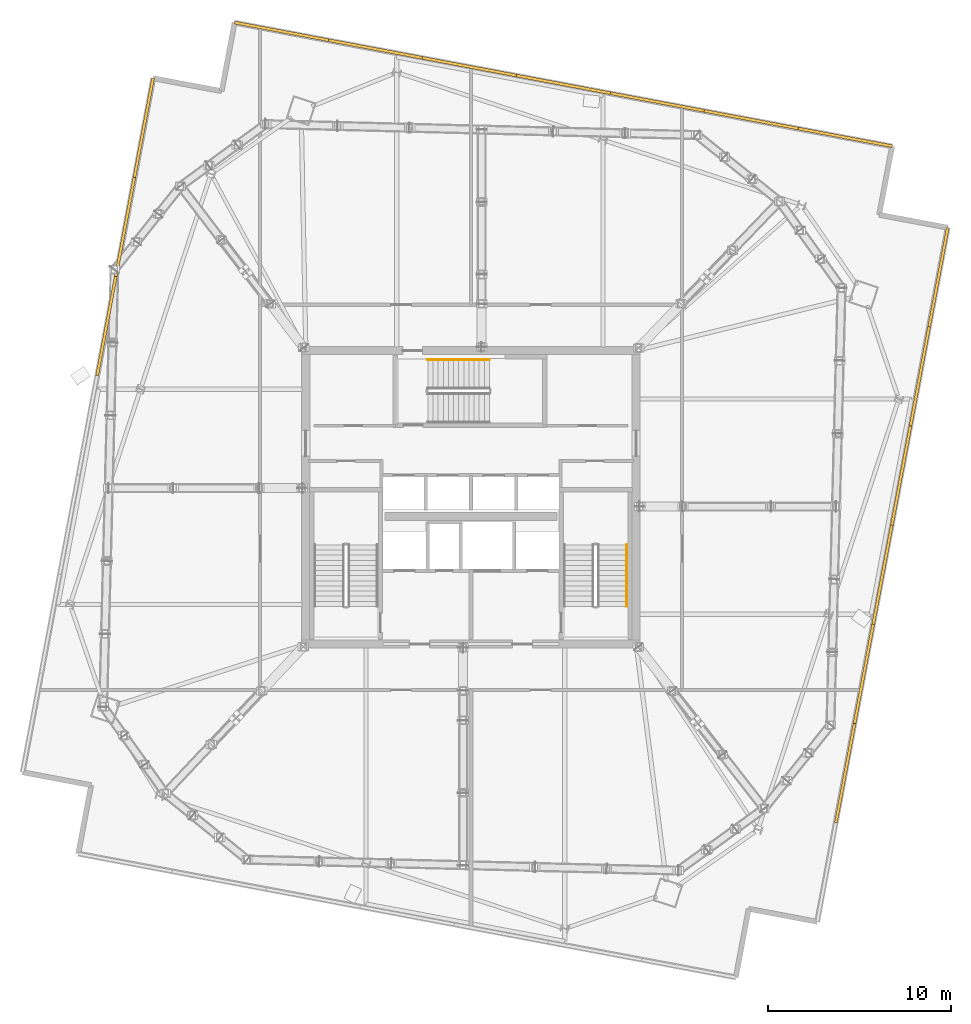
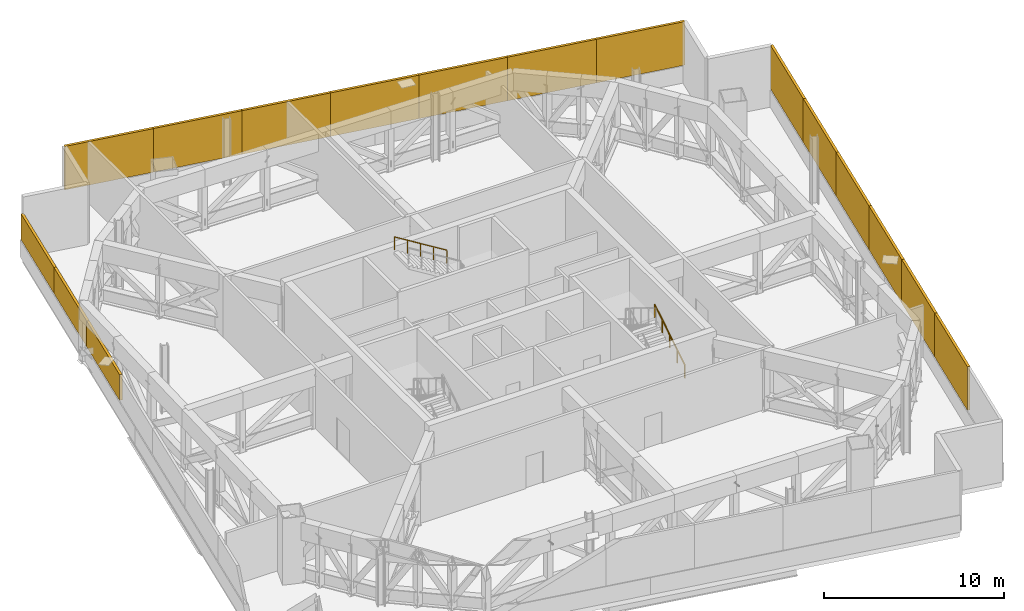
# One storey, part 15 of 15: 16 shading devices, 2 railings.
"""IFC4 building model written with IfcOpenShell, lengths in metres."""

import ifcopenshell
import ifcopenshell.guid

model = None  # the IFC model being written
_history = None  # IfcOwnerHistory: only IFC2X3 demands one
_inside = {}  # id of a spatial element -> (the spatial element, [elements in it])
_under = {}  # id of a project, library or spatial element -> (it, [spatial elements below it])
_declared = {}  # id of a project -> (the project, [libraries it declares])
_typed = {}  # id of a type object -> (the type object, [elements of that type])
_made_of = {}  # id of a material, layer set ... -> (it, [elements and type objects made of it])


def new_model(schema):
    """Start an empty IFC model of exactly this schema.

    Asked for "IFC4X3", IfcOpenShell would pick the latest addendum, in which some entities
    have other attributes; the version numbers below select the first issue.
    IFC2X3 requires an IfcOwnerHistory on every rooted entity: one is made here for all.
    """
    global model, _history
    if schema == "IFC4X3":
        model = ifcopenshell.file(schema_version=(4, 3, 0, 0))
    else:
        model = ifcopenshell.file(schema=schema)
    _inside.clear()
    _under.clear()
    _declared.clear()
    _typed.clear()
    _made_of.clear()
    _history = None
    if model.schema == "IFC2X3":
        org = make("IfcOrganization", Name="unknown")
        user = make(
            "IfcPersonAndOrganization",
            ThePerson=make("IfcPerson", FamilyName="unknown"),
            TheOrganization=org,
        )
        app = make(
            "IfcApplication",
            ApplicationDeveloper=org,
            Version="unknown",
            ApplicationFullName="unknown",
            ApplicationIdentifier="unknown",
        )
        _history = make(
            "IfcOwnerHistory",
            OwningUser=user,
            OwningApplication=app,
            ChangeAction="ADDED",
            CreationDate=0,
        )
    return model


def make(cls, **values):
    """One entity of the class cls with the attributes given. An attribute that is None is left unset."""
    return model.create_entity(
        cls, **{name: value for name, value in values.items() if value is not None}
    )


def rooted(cls, **values):
    """An entity with a GlobalId (a new one), such as an element, a storey or a relation."""
    return make(cls, GlobalId=ifcopenshell.guid.new(), OwnerHistory=_history, **values)


def si_unit(unit_type, name, prefix=None):
    """IfcSIUnit, for example si_unit("LENGTHUNIT", "METRE", prefix="MILLI")."""
    return make("IfcSIUnit", UnitType=unit_type, Prefix=prefix, Name=name)


def assignment(units):
    """IfcUnitAssignment: the units of a project."""
    return None if units is None else make("IfcUnitAssignment", Units=units)


def point(xyz):
    """IfcCartesianPoint."""
    return None if xyz is None else make("IfcCartesianPoint", Coordinates=xyz)


def direction(xyz):
    """IfcDirection."""
    return None if xyz is None else make("IfcDirection", DirectionRatios=xyz)


def frame(location, z_axis=None, x_axis=None):
    """IfcAxis2Placement3D, a coordinate frame: its origin and axes. An axis left out is left unset."""
    return make(
        "IfcAxis2Placement3D",
        Location=point(location),
        Axis=direction(z_axis),
        RefDirection=direction(x_axis),
    )


def frame_2d(location, x_axis=None):
    """IfcAxis2Placement2D, a coordinate frame in the plane: its origin and x axis."""
    return make(
        "IfcAxis2Placement2D", Location=point(location), RefDirection=direction(x_axis)
    )


def origin():
    """The frame at (0, 0, 0) with its axes left unset."""
    return frame((0.0, 0.0, 0.0))


def origin_2d():
    """The frame at (0, 0) in the plane with its x axis left unset."""
    return frame_2d((0.0, 0.0))


def place(relative_to, where):
    """IfcLocalPlacement: puts the frame where relative to a parent placement (None: the world)."""
    return make(
        "IfcLocalPlacement", PlacementRelTo=relative_to, RelativePlacement=where
    )


def context(
    kind, dimensions, precision=None, world=None, true_north=None, identifier=None
):
    """IfcGeometricRepresentationContext, for example the 3D "Model" context."""
    return make(
        "IfcGeometricRepresentationContext",
        ContextIdentifier=identifier,
        ContextType=kind,
        CoordinateSpaceDimension=dimensions,
        Precision=precision,
        WorldCoordinateSystem=world,
        TrueNorth=true_north,
    )


def subcontext(parent, identifier, kind, view, scale=None):
    """IfcGeometricRepresentationSubContext, for example "Body" below "Model"."""
    return make(
        "IfcGeometricRepresentationSubContext",
        ContextIdentifier=identifier,
        ContextType=kind,
        ParentContext=parent,
        TargetScale=scale,
        TargetView=view,
    )


def project(units=None, contexts=None):
    """IfcProject with its units and contexts."""
    return rooted(
        "IfcProject",
        Name="project",
        RepresentationContexts=contexts,
        UnitsInContext=assignment(units),
    )


def spatial(cls, under=None, at=None, **own):
    """A site, building, storey or space (cls), placed at a placement, below another one or the project."""
    s = rooted(cls, ObjectPlacement=at, **own)
    if under is not None:
        _under.setdefault(under.id(), (under, []))[1].append(s)
    return s


def profile(cls, at=None, kind="AREA", **sizes):
    """A parametric profile (cls). Its sizes go by their IFC names, for example OverallWidth=200.0."""
    return make(cls, ProfileType=kind, Position=at, **sizes)


def rectangle(**sizes):
    """IfcRectangleProfileDef."""
    return profile("IfcRectangleProfileDef", **sizes)


def extrude(swept, where, along, depth):
    """IfcExtrudedAreaSolid: the profile swept, set in the frame where, extruded along a direction by depth."""
    return make(
        "IfcExtrudedAreaSolid",
        SweptArea=swept,
        Position=where,
        ExtrudedDirection=direction(along),
        Depth=depth,
    )


def shape(context_of_items, identifier, shape_type, items):
    """IfcShapeRepresentation: the items that make up one representation, for example the "Body"."""
    return make(
        "IfcShapeRepresentation",
        ContextOfItems=context_of_items,
        RepresentationIdentifier=identifier,
        RepresentationType=shape_type,
        Items=items,
    )


def source(mapping_origin, context_of_items, identifier, shape_type, items):
    """IfcRepresentationMap: a shape defined once, which mapped items show again and again."""
    return make(
        "IfcRepresentationMap",
        MappingOrigin=mapping_origin,
        MappedRepresentation=shape(context_of_items, identifier, shape_type, items),
    )


def transform(
    local_origin,
    x_axis=None,
    y_axis=None,
    z_axis=None,
    scale=None,
    scale2=None,
    scale3=None,
    uniform=True,
):
    """IfcCartesianTransformationOperator3D, or its non-uniform kind. x_axis, y_axis, z_axis: its Axis1, 2, 3."""
    if uniform:
        return make(
            "IfcCartesianTransformationOperator3D",
            Axis1=direction(x_axis),
            Axis2=direction(y_axis),
            LocalOrigin=point(local_origin),
            Scale=scale,
            Axis3=direction(z_axis),
        )
    return make(
        "IfcCartesianTransformationOperator3DnonUniform",
        Axis1=direction(x_axis),
        Axis2=direction(y_axis),
        LocalOrigin=point(local_origin),
        Scale=scale,
        Axis3=direction(z_axis),
        Scale2=scale2,
        Scale3=scale3,
    )


def mapped(mapping_source, mapping_target):
    """IfcMappedItem: shows the shape of a source again, moved by a transform."""
    return make(
        "IfcMappedItem", MappingSource=mapping_source, MappingTarget=mapping_target
    )


def material(Name=None, Category=None):
    """IfcMaterial."""
    return make("IfcMaterial", Name=Name, Category=Category)


def layer(
    of_material, thickness, ventilated=None, Name=None, Category=None, Priority=None
):
    """IfcMaterialLayer: one layer of a wall or slab, of a material (None: an air gap)."""
    return make(
        "IfcMaterialLayer",
        Material=of_material,
        LayerThickness=thickness,
        IsVentilated=ventilated,
        Name=Name,
        Category=Category,
        Priority=Priority,
    )


def layer_set(layers, Name=None):
    """IfcMaterialLayerSet."""
    return make("IfcMaterialLayerSet", MaterialLayers=layers, LayerSetName=Name)


def made_of(thing, what):
    """Note that an element or type object is made of a material, layer set ...; save() writes the relation."""
    if what is not None:
        _made_of.setdefault(what.id(), (what, []))[1].append(thing)
    return thing


def type_object(cls, material=None, **own):
    """A type object (cls), such as IfcWallType, which elements share."""
    return made_of(rooted(cls, **own), material)


def element(
    cls,
    number,
    at=None,
    inside=None,
    cuts=None,
    type_object=None,
    material=None,
    context=None,
    identifier="Body",
    shape_type=None,
    held_by="IfcProductDefinitionShape",
    body=None,
    shapes=None,
    **own,
):
    """One element of the class cls, such as IfcWall. Its Tag is "e" and its number.

    at: its placement. inside: the storey or other place that contains it. cuts: it is an
    opening in that element (IfcRelVoidsElement). A single representation is given by context,
    identifier, shape_type and body (its items); several are given by shapes. held_by: the class
    of the entity that holds the representations. save() writes the other relations.
    """
    e = rooted(cls, Tag="e%d" % number, ObjectPlacement=at, **own)
    if body is not None:
        shapes = [shape(context, identifier, shape_type, body)]
    if shapes is not None:
        e.Representation = make(held_by, Representations=shapes)
    if inside is not None:
        _inside.setdefault(inside.id(), (inside, []))[1].append(e)
    if cuts is not None:
        rooted(
            "IfcRelVoidsElement", RelatingBuildingElement=cuts, RelatedOpeningElement=e
        )
    if type_object is not None:
        _typed.setdefault(type_object.id(), (type_object, []))[1].append(e)
    return made_of(e, material)


def aggregate(whole, parts):
    """IfcRelAggregates: a whole, such as a stair, and the parts it consists of."""
    return rooted("IfcRelAggregates", RelatingObject=whole, RelatedObjects=parts)


def save(model, path):
    """Write the relations noted so far, then the file.

    IfcRelAggregates (storeys below a building ...), IfcRelContainedInSpatialStructure (elements
    in a storey), IfcRelDefinesByType, IfcRelAssociatesMaterial and IfcRelDeclares: one each for
    every whole, place, type object, material and project.
    """
    for whole, parts in _under.values():
        aggregate(whole, parts)
    for where, things in _inside.values():
        rooted(
            "IfcRelContainedInSpatialStructure",
            RelatedElements=things,
            RelatingStructure=where,
        )
    for kind, things in _typed.values():
        rooted("IfcRelDefinesByType", RelatedObjects=things, RelatingType=kind)
    for what, things in _made_of.values():
        rooted("IfcRelAssociatesMaterial", RelatedObjects=things, RelatingMaterial=what)
    for by, libraries in _declared.values():
        rooted("IfcRelDeclares", RelatingContext=by, RelatedDefinitions=libraries)
    model.write(path)


model = new_model("IFC4")

# Units and contexts
model_context = context("Model", 3, precision=1e-05, world=origin(), true_north=direction((0.0, 1.0)))
body_context = subcontext(model_context, "Body", "Model", "MODEL_VIEW")
ifc_project = project(units=[si_unit("LENGTHUNIT", "METRE"), si_unit("AREAUNIT", "SQUARE_METRE"), si_unit("VOLUMEUNIT", "CUBIC_METRE"), si_unit("PLANEANGLEUNIT", "RADIAN"), si_unit("MASSUNIT", "GRAM", prefix="KILO")], contexts=[model_context])

# Site, building, storey
site_placement = place(None, origin())
site = spatial("IfcSite", under=ifc_project, at=site_placement, CompositionType="ELEMENT")
building_placement = place(site_placement, origin())
building = spatial("IfcBuilding", under=site, at=building_placement, Name="Haldenkirk Collegiate Tower", CompositionType="ELEMENT")
storey_placement = place(building_placement, frame((0.0, 0.0, 293.699951171875)))
storey = spatial("IfcBuildingStorey", under=building, at=storey_placement, Name="L74", CompositionType="ELEMENT", Elevation=293.699951171875)

# Railings
ifc_material_1 = material(Name="Painted architectural tubular steel", Category="steel")
railing_type = type_object("IfcRailingType", Name="RLG-STAIR-HANDRAIL-900", PredefinedType="HANDRAIL", material=ifc_material_1)
railing_1_placement = place(storey_placement, frame((44.5, 20.050048828125, 0.173095703125)))
element("IfcRailing", 1, at=railing_1_placement, inside=storey, type_object=railing_type, Name="L74 ST-2 stair handrail 1", PredefinedType="HANDRAIL", context=body_context, shape_type="SweptSolid", body=[
    extrude(rectangle(XDim=0.048095703125, YDim=0.048095703125, at=origin_2d()), frame((0.0, 0.0, 0.8759765625), z_axis=(0.0, 0.850606129759, 0.525803396734), x_axis=(-1.0, 0.0, 0.0)), (0.0, 0.0, 1.0), 3.949951171875),
    extrude(rectangle(XDim=0.0419921875, YDim=0.0419921875, at=origin_2d()), origin(), (0.0, 0.0, 1.0), 0.851806640625),
    extrude(rectangle(XDim=0.0419921875, YDim=0.0419921875, at=origin_2d()), frame((0.0, 0.83984375, 0.519287109375)), (0.0, 0.0, 1.0), 0.851806640625),
    extrude(rectangle(XDim=0.0419921875, YDim=0.0419921875, at=origin_2d()), frame((0.0, 1.679931640625, 1.03857421875)), (0.0, 0.0, 1.0), 0.851806640625),
    extrude(rectangle(XDim=0.0419921875, YDim=0.0419921875, at=origin_2d()), frame((0.0, 2.52001953125, 1.5576171875)), (0.0, 0.0, 1.0), 0.851806640625),
    extrude(rectangle(XDim=0.0419921875, YDim=0.0419921875, at=origin_2d()), frame((0.0, 3.35986328125, 2.076904296875)), (0.0, 0.0, 1.0), 0.851806640625),
])
railing_2_placement = place(storey_placement, frame((37.010009765625, 33.5, 2.423095703125)))
element("IfcRailing", 2, at=railing_2_placement, inside=storey, type_object=railing_type, Name="L74 ST-3 stair handrail 2", PredefinedType="HANDRAIL", context=body_context, shape_type="SweptSolid", body=[
    extrude(rectangle(XDim=0.048095703125, YDim=0.048095703125, at=origin_2d()), frame((0.0, 0.0, 0.8759765625), z_axis=(-0.850623216509, 0.0, 0.525775754039), x_axis=(0.0, -1.0, 0.0)), (0.0, 0.0, 1.0), 3.9501953125),
    extrude(rectangle(XDim=0.0419921875, YDim=0.0419921875, at=origin_2d()), origin(), (0.0, 0.0, 1.0), 0.851806640625),
    extrude(rectangle(XDim=0.0419921875, YDim=0.0419921875, at=origin_2d()), frame((-0.840087890625, 0.0, 0.519287109375)), (0.0, 0.0, 1.0), 0.851806640625),
    extrude(rectangle(XDim=0.0419921875, YDim=0.0419921875, at=origin_2d()), frame((-1.68017578125, 0.0, 1.03857421875)), (0.0, 0.0, 1.0), 0.851806640625),
    extrude(rectangle(XDim=0.0419921875, YDim=0.0419921875, at=origin_2d()), frame((-2.52001953125, 0.0, 1.5576171875)), (0.0, 0.0, 1.0), 0.851806640625),
    extrude(rectangle(XDim=0.0419921875, YDim=0.0419921875, at=origin_2d()), frame((-3.360107421875, 0.0, 2.076904296875)), (0.0, 0.0, 1.0), 0.851806640625),
])

# Shading devices
ifc_material_2 = material(Name="Anodised architectural bronze aluminium", Category="aluminium")
ifc_layer = layer(ifc_material_2, 0.139892578125)
ifc_layer_set = layer_set([ifc_layer], Name="Anodised architectural bronze aluminium")
shading_device_type = type_object("IfcShadingDeviceType", Name="SHD-LOUVRE-CROWN", PredefinedType="JALOUSIE", material=ifc_layer_set)
shared_shape_1 = source(origin(), body_context, "Body", "SweptSolid", [
    extrude(rectangle(XDim=5.5, YDim=0.159912109375, at=origin_2d()), origin(), (0.0, 0.0, 1.0), 2.949951171875),
])
for number, where, z_axis, x_axis, name in (
    (3, (61.481201171875, 37.99755859375, 1.14990234375), (0.0, 0.0, 1.0), (-0.184809053369, -0.982774447059, 0.0), "L74 mechanical intake louvre screen S1"),
    (4, (60.464599609375, 32.59228515625, 1.14990234375), (0.0, 0.0, 1.0), (-0.184809053369, -0.982774447059, 0.0), "L74 mechanical intake louvre screen S2"),
    (5, (59.4482421875, 27.18701171875, 1.14990234375), (0.0, 0.0, 1.0), (-0.184809053369, -0.982774447059, 0.0), "L74 mechanical intake louvre screen S3"),
    (6, (58.431884765625, 21.78173828125, 1.14990234375), (0.0, 0.0, 1.0), (-0.184809053369, -0.982774447059, 0.0), "L74 mechanical intake louvre screen S4"),
    (7, (57.415283203125, 16.37646484375, 1.14990234375), (0.0, 0.0, 1.0), (-0.184809053369, -0.982774447059, 0.0), "L74 mechanical intake louvre screen S5"),
    (8, (56.39892578125, 10.97119140625, 1.14990234375), (0.0, 0.0, 1.0), (-0.184809053369, -0.982774447059, 0.0), "L74 mechanical intake louvre screen S6"),
):
    element("IfcShadingDevice", number, at=place(storey_placement, frame(where, z_axis=z_axis, x_axis=x_axis)), inside=storey, type_object=shading_device_type, Name=name, PredefinedType="JALOUSIE", context=body_context, shape_type="MappedRepresentation", body=[
        mapped(shared_shape_1, transform((0.0, 0.0, 0.0), x_axis=(1.0, 0.0, 0.0), y_axis=(0.0, 1.0, 0.0), z_axis=(0.0, 0.0, 1.0), scale=1.0)),
    ])
shared_shape_2 = source(origin(), body_context, "Body", "SweptSolid", [
    extrude(rectangle(XDim=5.210693359375, YDim=0.159912109375, at=origin_2d()), origin(), (0.0, 0.0, 1.0), 2.949951171875),
])
for number, where, z_axis, x_axis, name in (
    (9, (25.6708984375, 51.396484375, 1.14990234375), (0.0, 0.0, 1.0), (0.982774447059, -0.184809053369, 0.0), "L74 mechanical intake louvre screen E1"),
    (10, (30.791748046875, 50.433349609375, 1.14990234375), (0.0, 0.0, 1.0), (0.982774447059, -0.184809053369, 0.0), "L74 mechanical intake louvre screen E2"),
    (11, (35.912841796875, 49.470458984375, 1.14990234375), (0.0, 0.0, 1.0), (0.982774447059, -0.184809053369, 0.0), "L74 mechanical intake louvre screen E3"),
    (12, (41.03369140625, 48.50732421875, 1.14990234375), (0.0, 0.0, 1.0), (0.982774447059, -0.184809053369, 0.0), "L74 mechanical intake louvre screen E4"),
    (13, (46.15478515625, 47.54443359375, 1.14990234375), (0.0, 0.0, 1.0), (0.982774447059, -0.184809053369, 0.0), "L74 mechanical intake louvre screen E5"),
    (14, (51.275634765625, 46.58154296875, 1.14990234375), (0.0, 0.0, 1.0), (0.982774447059, -0.184809053369, 0.0), "L74 mechanical intake louvre screen E6"),
    (15, (56.396484375, 45.618408203125, 1.14990234375), (0.0, 0.0, 1.0), (0.982774447059, -0.184809053369, 0.0), "L74 mechanical intake louvre screen E7"),
):
    element("IfcShadingDevice", number, at=place(storey_placement, frame(where, z_axis=z_axis, x_axis=x_axis)), inside=storey, type_object=shading_device_type, Name=name, PredefinedType="JALOUSIE", context=body_context, shape_type="MappedRepresentation", body=[
        mapped(shared_shape_2, transform((0.0, 0.0, 0.0), x_axis=(1.0, 0.0, 0.0), y_axis=(0.0, 1.0, 0.0), z_axis=(0.0, 0.0, 1.0), scale=1.0)),
    ])
shared_shape_3 = source(origin(), body_context, "Body", "SweptSolid", [
    extrude(rectangle(XDim=5.5, YDim=0.159912109375, at=origin_2d()), origin(), (0.0, 0.0, 1.0), 1.7451171875),
])
for number, where, z_axis, x_axis, name in (
    (16, (16.132568359375, 35.33251953125, 1.14990234375), (0.0, 0.0, 1.0), (0.184809053369, 0.982774447059, 0.0), "L74 mechanical intake louvre screen N5"),
    (17, (17.14892578125, 40.73779296875, 1.14990234375), (0.0, 0.0, 1.0), (0.184809053369, 0.982774447059, 0.0), "L74 mechanical intake louvre screen N6"),
    (18, (18.165283203125, 46.14306640625, 1.14990234375), (0.0, 0.0, 1.0), (0.184809053369, 0.982774447059, 0.0), "L74 mechanical intake louvre screen N7"),
):
    element("IfcShadingDevice", number, at=place(storey_placement, frame(where, z_axis=z_axis, x_axis=x_axis)), inside=storey, type_object=shading_device_type, Name=name, PredefinedType="JALOUSIE", context=body_context, shape_type="MappedRepresentation", body=[
        mapped(shared_shape_3, transform((0.0, 0.0, 0.0), x_axis=(1.0, 0.0, 0.0), y_axis=(0.0, 1.0, 0.0), z_axis=(0.0, 0.0, 1.0), scale=1.0)),
    ])

save(model, "model.ifc")
